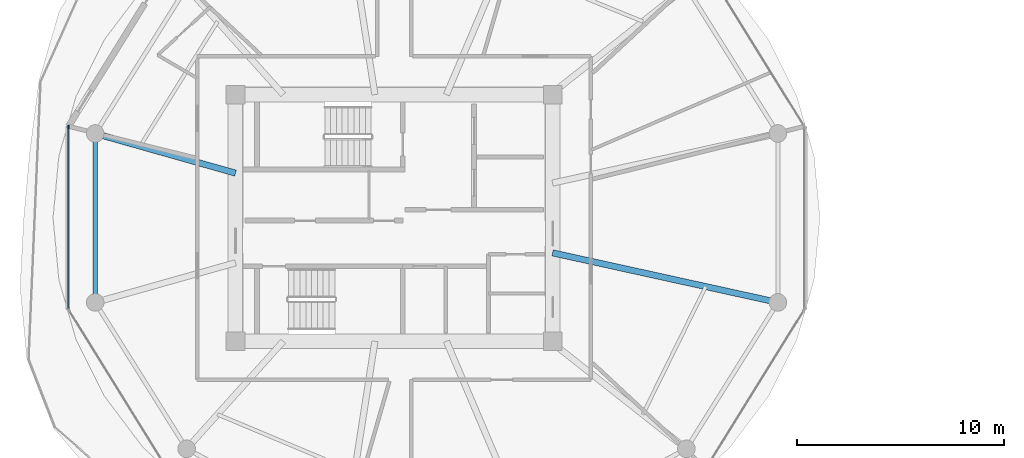
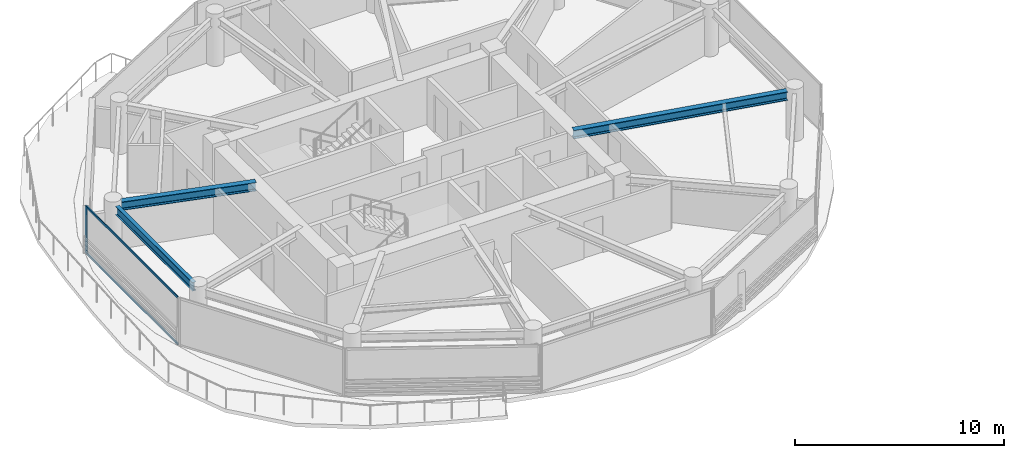
# One storey, part 3 of 22: 3 beams, 3 members, 1 element without a shape of its own.
"""IFC4 building model written with IfcOpenShell, lengths in metres."""

from ifc_helpers import new_model, si_unit, direction, frame, origin, origin_2d, place, context, subcontext, project, spatial, rectangle, i_section, extrude, source, transform, mapped, material, layer, layer_set, material_profile, profile_set, type_object, type_shapes, element, aggregate, save


model = new_model("IFC4")

# Units and contexts
model_context = context("Model", 3, precision=1e-05, world=origin(), true_north=direction((0.0, 1.0)))
body_context = subcontext(model_context, "Body", "Model", "MODEL_VIEW")
ifc_project = project(units=[si_unit("LENGTHUNIT", "METRE"), si_unit("AREAUNIT", "SQUARE_METRE"), si_unit("VOLUMEUNIT", "CUBIC_METRE"), si_unit("PLANEANGLEUNIT", "RADIAN"), si_unit("MASSUNIT", "GRAM", prefix="KILO")], contexts=[model_context])

# Site, building, storey
site_placement = place(None, origin())
site = spatial("IfcSite", under=ifc_project, at=site_placement, CompositionType="ELEMENT")
building_placement = place(site_placement, origin())
building = spatial("IfcBuilding", under=site, at=building_placement, Name="Norrkilde Senior Care Towers", CompositionType="ELEMENT")
storey_placement = place(building_placement, frame((0.0, 0.0, 96.25)))
storey = spatial("IfcBuildingStorey", under=building, at=storey_placement, Name="L29", CompositionType="ELEMENT", Elevation=96.25)

# Beams
ifc_material_1 = material(Name="Steel S355", Category="steel")
ifc_material_profile_1 = material_profile(ifc_material_1, i_section(OverallWidth=0.300048828125, OverallDepth=0.5, WebThickness=0.014404296875, FlangeThickness=0.028076171875, FilletRadius=0.027099609375, at=origin_2d()), Name="HEB 500")
ifc_profile_set_1 = profile_set([ifc_material_profile_1], Name="Steel S355")
beam_type_1 = type_object("IfcBeamType", Name="Radial Floor Beam Z2 HEB500", PredefinedType="BEAM", material=ifc_profile_set_1)
shared_shape_1 = source(origin(), body_context, "Body", "SweptSolid", [
    extrude(i_section(OverallWidth=0.300048828125, OverallDepth=0.5, WebThickness=0.014404296875, FlangeThickness=0.028076171875, FilletRadius=0.027099609375, at=origin_2d()), origin(), (0.0, 0.0, 1.0), 10.744384765625),
])
beam_1_placement = place(storey_placement, frame((-20.35009765625, -1.683837890625, 2.5400390625), z_axis=(0.976618711422, -0.214978818724, 0.0), x_axis=(0.214978818724, 0.976618711422, 0.0)))
element("IfcBeam", 1, at=beam_1_placement, inside=storey, type_object=beam_type_1, Name="L29 Drum W Radial Floor Beam 12", PredefinedType="BEAM", context=body_context, shape_type="MappedRepresentation", body=[
    mapped(shared_shape_1, transform((0.0, 0.0, 0.0), x_axis=(1.0, 0.0, 0.0), y_axis=(0.0, 1.0, 0.0), z_axis=(0.0, 0.0, 1.0), scale=1.0)),
])
ifc_material_profile_2 = material_profile(ifc_material_1, i_section(OverallWidth=0.199951171875, OverallDepth=0.5, WebThickness=0.01025390625, FlangeThickness=0.01611328125, FilletRadius=0.02099609375, at=origin_2d()), Name="IPE 500")
ifc_profile_set_2 = profile_set([ifc_material_profile_2], Name="Steel S355")
beam_type_2 = type_object("IfcBeamType", Name="Perimeter Ring Spandrel Z2 IPE500", PredefinedType="SPANDREL", material=ifc_profile_set_2)
shared_shape_2 = source(origin(), body_context, "Body", "SweptSolid", [
    extrude(i_section(OverallWidth=0.199951171875, OverallDepth=0.5, WebThickness=0.01025390625, FlangeThickness=0.01611328125, FilletRadius=0.02099609375, at=origin_2d()), origin(), (0.0, 0.0, 1.0), 7.3828125),
])
type_shapes(beam_type_2, [shared_shape_2])
beam_2_placement = place(storey_placement, frame((-42.4189453125, 3.69140625, 2.5400390625), z_axis=(0.0, -1.0, 0.0), x_axis=(1.0, 0.0, 0.0)))
element("IfcBeam", 2, at=beam_2_placement, inside=storey, type_object=beam_type_2, Name="L29 Drum W Perimeter Spandrel 06", PredefinedType="SPANDREL", context=body_context, shape_type="MappedRepresentation", body=[
    mapped(shared_shape_2, transform((0.0, 0.0, 0.0), x_axis=(1.0, 0.0, 0.0), y_axis=(0.0, 1.0, 0.0), z_axis=(0.0, 0.0, 1.0), scale=1.0)),
])
shared_shape_3 = source(origin(), body_context, "Body", "SweptSolid", [
    extrude(i_section(OverallWidth=0.300048828125, OverallDepth=0.5, WebThickness=0.014404296875, FlangeThickness=0.028076171875, FilletRadius=0.027099609375, at=origin_2d()), origin(), (0.0, 0.0, 1.0), 6.6494140625),
])
type_shapes(beam_type_1, [shared_shape_1, shared_shape_3])
beam_3_placement = place(storey_placement, frame((-35.64990234375, 2.162841796875, 2.5400390625), z_axis=(-0.962289138357, 0.27202870106, 0.0), x_axis=(-0.27202870106, -0.962289138357, 0.0)))
element("IfcBeam", 3, at=beam_3_placement, inside=storey, type_object=beam_type_1, Name="L29 Drum W Radial Floor Beam 06", PredefinedType="BEAM", context=body_context, shape_type="MappedRepresentation", body=[
    mapped(shared_shape_3, transform((0.0, 0.0, 0.0), x_axis=(1.0, 0.0, 0.0), y_axis=(0.0, 1.0, 0.0), z_axis=(0.0, 0.0, 1.0), scale=1.0)),
])

# Curtain wall, members
ifc_material_2 = material(Name="Triple Low-E Insulated Glazing", Category="glass")
ifc_layer = layer(ifc_material_2, 0.195068359375)
ifc_layer_set = layer_set([ifc_layer], Name="Triple Low-E Insulated Glazing")
curtain_wall_type = type_object("IfcCurtainWallType", Name="CW3 Zone 2 Assisted Living Curtain Wall", PredefinedType="NOTDEFINED", material=ifc_layer_set)
curtain_wall_placement = place(storey_placement, origin())
curtain_wall = element("IfcCurtainWall", 4, at=curtain_wall_placement, inside=storey, type_object=curtain_wall_type, Name="L29 Drum W Curtain Wall 05", PredefinedType="NOTDEFINED")
ifc_material_3 = material(Name="Anodised Aluminium", Category="aluminium")
ifc_material_profile_3 = material_profile(ifc_material_3, rectangle(XDim=0.06494140625, YDim=0.159912109375, at=origin_2d()), Name="ALU MULL 65x160")
ifc_profile_set_3 = profile_set([ifc_material_profile_3], Name="Anodised Aluminium")
member_type_1 = type_object("IfcMemberType", Name="Curtain Wall Mullion Z1-Z2 65x160", PredefinedType="MULLION", material=ifc_profile_set_3)
shared_shape_4 = source(origin(), body_context, "Body", "SweptSolid", [
    extrude(rectangle(XDim=0.06494140625, YDim=0.159912109375, at=origin_2d()), origin(), (0.0, 0.0, 1.0), 2.7900390625),
])
type_shapes(member_type_1, [shared_shape_4])
member_1_placement = place(storey_placement, frame((-43.70361328125, 4.38818359375, 0.0), z_axis=(0.0, 0.0, 1.0), x_axis=(-1.0, 0.0, 0.0)))
member_1 = element("IfcMember", 5, at=member_1_placement, type_object=member_type_1, Name="CW-3 mullion 2", PredefinedType="MULLION", context=body_context, shape_type="MappedRepresentation", body=[
    mapped(shared_shape_4, transform((0.0, 0.0, 0.0), x_axis=(1.0, 0.0, 0.0), y_axis=(0.0, 1.0, 0.0), z_axis=(0.0, 0.0, 1.0), scale=1.0)),
])
ifc_material_profile_4 = material_profile(ifc_material_3, rectangle(XDim=0.06005859375, YDim=0.1201171875, at=origin_2d()), Name="ALU TRAN 60x120")
ifc_profile_set_4 = profile_set([ifc_material_profile_4], Name="Anodised Aluminium")
member_type_2 = type_object("IfcMemberType", Name="Curtain Wall Transom Typical 60x120", PredefinedType="USERDEFINED", material=ifc_profile_set_4)
shared_shape_5 = source(origin(), body_context, "Body", "SweptSolid", [
    extrude(rectangle(XDim=0.06005859375, YDim=0.1201171875, at=origin_2d()), origin(), (0.0, 0.0, 1.0), 8.71142578125),
])
type_shapes(member_type_2, [shared_shape_5])
member_2_placement = place(storey_placement, frame((-43.70361328125, -4.355712890625, 0.030029296875), z_axis=(0.0, 1.0, 0.0), x_axis=(-1.0, 0.0, 0.0)))
member_2 = element("IfcMember", 6, at=member_2_placement, type_object=member_type_2, Name="CW-3 transom 1.1", ObjectType="TRANSOM", PredefinedType="USERDEFINED", context=body_context, shape_type="MappedRepresentation", body=[
    mapped(shared_shape_5, transform((0.0, 0.0, 0.0), x_axis=(1.0, 0.0, 0.0), y_axis=(0.0, 1.0, 0.0), z_axis=(0.0, 0.0, 1.0), scale=1.0)),
])
member_3_placement = place(storey_placement, frame((-43.70361328125, -4.355712890625, 2.760009765625), z_axis=(0.0, 1.0, 0.0), x_axis=(-1.0, 0.0, 0.0)))
member_3 = element("IfcMember", 7, at=member_3_placement, type_object=member_type_2, Name="CW-3 transom 1.2", ObjectType="TRANSOM", PredefinedType="USERDEFINED", context=body_context, shape_type="MappedRepresentation", body=[
    mapped(shared_shape_5, transform((0.0, 0.0, 0.0), x_axis=(1.0, 0.0, 0.0), y_axis=(0.0, 1.0, 0.0), z_axis=(0.0, 0.0, 1.0), scale=1.0)),
])
aggregate(curtain_wall, [member_1, member_2, member_3])

save(model, "model.ifc")
